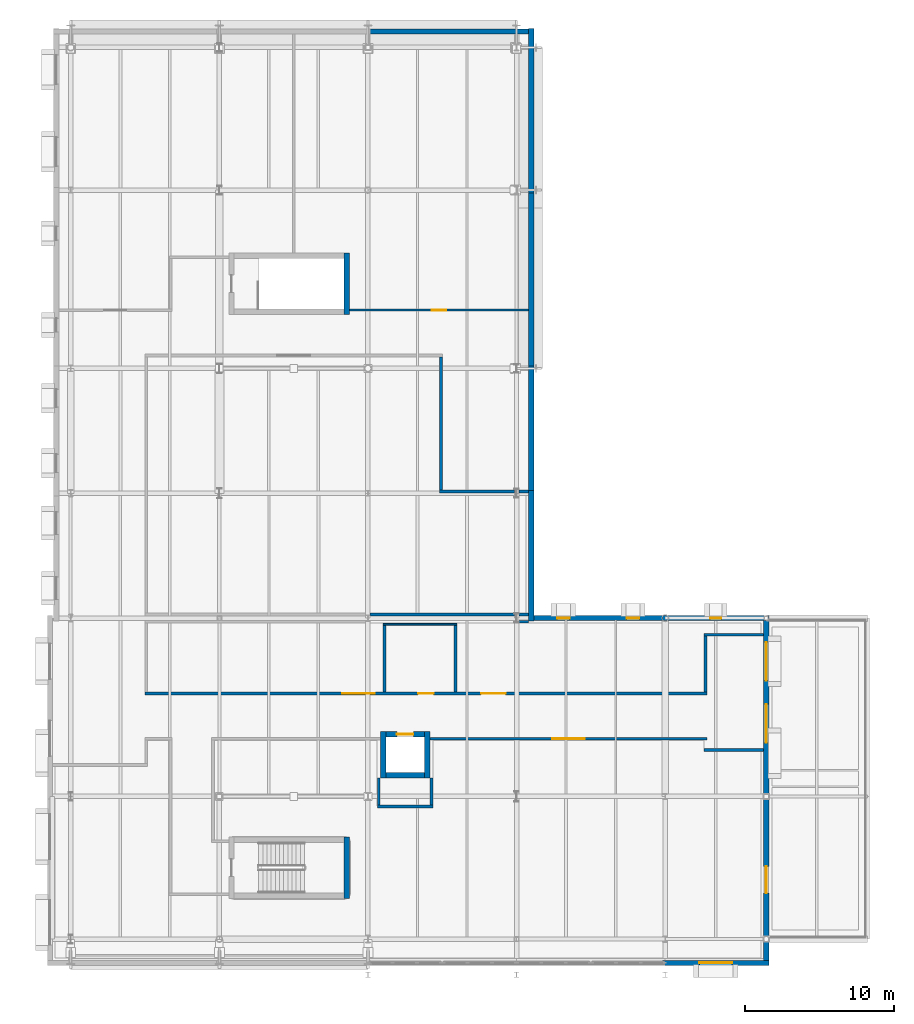
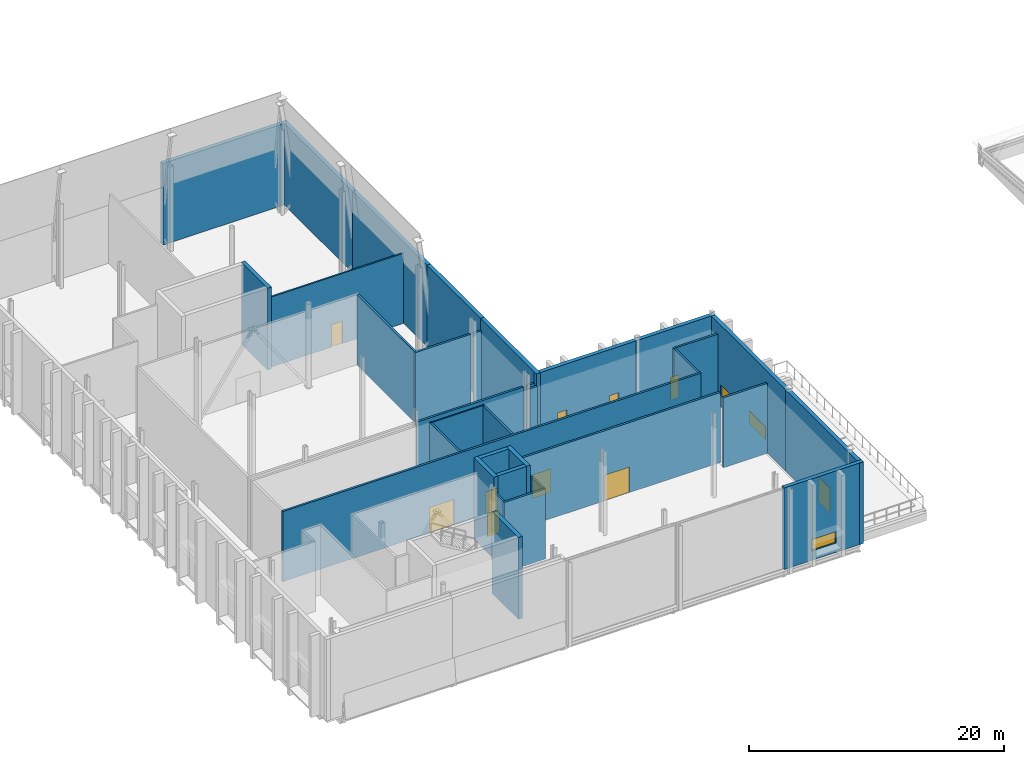
# One storey, part 62 of 79: 34 walls, 7 doors, 6 windows, 13 openings.
"""IFC4 building model written with IfcOpenShell, lengths in metres."""

from ifc_helpers import new_model, si_unit, direction, frame, frame_2d, origin, place, context, subcontext, project, spatial, rectangle, extrude, material, layer, layer_set, type_object, element, fill, save


model = new_model("IFC4")

# Units and contexts
model_context = context("Model", 3, precision=1e-05, world=origin(), true_north=direction((0.0, 1.0)))
body_context = subcontext(model_context, "Body", "Model", "MODEL_VIEW")
ifc_project = project(units=[si_unit("LENGTHUNIT", "METRE"), si_unit("AREAUNIT", "SQUARE_METRE"), si_unit("VOLUMEUNIT", "CUBIC_METRE"), si_unit("PLANEANGLEUNIT", "RADIAN"), si_unit("MASSUNIT", "GRAM", prefix="KILO")], contexts=[model_context])

# Site, building, storey
site_placement = place(None, origin())
site = spatial("IfcSite", under=ifc_project, at=site_placement, CompositionType="ELEMENT")
building_placement = place(site_placement, origin())
building = spatial("IfcBuilding", under=site, at=building_placement, Name="Zereglee Splitstone Museum", CompositionType="ELEMENT")
storey_placement = place(building_placement, frame((0.0, 0.0, 9.0)))
storey = spatial("IfcBuildingStorey", under=building, at=storey_placement, Name="L02", CompositionType="ELEMENT", Elevation=9.0)

# Walls
ifc_material_1 = material(Name="Concrete C45/55", Category="concrete")
ifc_layer_1 = layer(ifc_material_1, 0.360107421875)
ifc_layer_set_1 = layer_set([ifc_layer_1], Name="Concrete C45/55")
wall_type_1 = type_object("IfcWallType", Name="CSW-02", PredefinedType="SHEAR", material=ifc_layer_set_1)
wall_1_placement = place(storey_placement, frame((193.780029296875, 2.739990234375, 0.0), z_axis=(0.0, 0.0, 1.0), x_axis=(0.0, 1.0, 0.0)))
element("IfcWall", 1, at=wall_1_placement, inside=storey, type_object=wall_type_1, Name="Stair Core Shear Wall ST-04 L02 East", PredefinedType="SHEAR", context=body_context, shape_type="SweptSolid", body=[
    extrude(rectangle(XDim=4.1201171875, YDim=0.360107421875, at=frame_2d((2.06005859375, 0.0))), origin(), (0.0, 0.0, 1.0), 7.820068359375),
])
wall_2_placement = place(storey_placement, frame((193.780029296875, 42.0400390625, 0.0), z_axis=(0.0, 0.0, 1.0), x_axis=(0.0, 1.0, 0.0)))
element("IfcWall", 2, at=wall_2_placement, inside=storey, type_object=wall_type_1, Name="Stair Core Shear Wall ST-07 L02 East", PredefinedType="SHEAR", context=body_context, shape_type="SweptSolid", body=[
    extrude(rectangle(XDim=4.119873046875, YDim=0.360107421875, at=frame_2d((2.06005859375, 0.0))), origin(), (0.0, 0.0, 1.0), 7.820068359375),
])

# Wall, opening, door
wall_3_placement = place(storey_placement, frame((196.39990234375, 13.780029296875, 0.0), z_axis=(0.0, 0.0, 1.0), x_axis=(1.0, 0.0, 0.0)))
wall_3 = element("IfcWall", 3, at=wall_3_placement, inside=storey, type_object=wall_type_1, Name="Lift Shaft Wall PL-03 L02 North", PredefinedType="SHEAR", context=body_context, shape_type="SweptSolid", body=[
    extrude(rectangle(XDim=2.60009765625, YDim=0.360107421875, at=frame_2d((1.300048828125, 0.0))), origin(), (0.0, 0.0, 1.0), 7.820068359375),
])
opening_1_placement = place(wall_3_placement, frame((0.75, 0.0, 0.0)))
opening_1 = element("IfcOpeningElement", 4, at=opening_1_placement, cuts=wall_3, Name="Opening LD-01", PredefinedType="OPENING", context=body_context, shape_type="SweptSolid", body=[
    extrude(rectangle(XDim=1.10009765625, YDim=2.14990234375, at=frame_2d((0.550048828125, 1.074951171875))), frame((0.0, 0.19482421875, 0.0), z_axis=(0.0, -1.0, 0.0), x_axis=(1.0, 0.0, 0.0)), (0.0, 0.0, 1.0), 0.389892578125),
])
ifc_material_2 = material(Name="Fire-rated steel and Siberian larch leaf", Category="steel")
door_type_1 = type_object("IfcDoorType", Name="LD-01", OperationType="DOUBLE_DOOR_SLIDING", PredefinedType="DOOR", material=ifc_material_2)
door_1_placement = place(opening_1_placement, origin())
door_1 = element("IfcDoor", 5, at=door_1_placement, inside=storey, type_object=door_type_1, Name="Lift Landing Sliding Door PL-03 L02", OperationType="DOUBLE_DOOR_SLIDING", OverallHeight=2.14990234375, OverallWidth=1.10009765625, PredefinedType="DOOR", context=body_context, shape_type="SweptSolid", body=[
    extrude(rectangle(XDim=1.10009765625, YDim=2.14990234375, at=frame_2d((0.550048828125, 1.074951171875))), frame((0.0, 0.02490234375, 0.0), z_axis=(0.0, -1.0, 0.0), x_axis=(1.0, 0.0, 0.0)), (0.0, 0.0, 1.0), 0.050048828125),
])
fill(opening_1, door_1)

# Walls
wall_4_placement = place(storey_placement, frame((196.39990234375, 11.02001953125, 0.0), z_axis=(0.0, 0.0, 1.0), x_axis=(1.0, 0.0, 0.0)))
element("IfcWall", 6, at=wall_4_placement, inside=storey, type_object=wall_type_1, Name="Lift Shaft Wall PL-03 L02 South", PredefinedType="SHEAR", context=body_context, shape_type="SweptSolid", body=[
    extrude(rectangle(XDim=2.60009765625, YDim=0.360107421875, at=frame_2d((1.300048828125, 0.0))), origin(), (0.0, 0.0, 1.0), 7.820068359375),
])
for number, where, z_axis, x_axis, name in (
    (7, (196.219970703125, 10.840087890625, 0.0), (0.0, 0.0, 1.0), (0.0, 1.0, 0.0), "Lift Shaft Wall PL-03 L02 West"),
    (8, (199.179931640625, 10.840087890625, 0.0), (0.0, 0.0, 1.0), (0.0, 1.0, 0.0), "Lift Shaft Wall PL-03 L02 East"),
):
    element("IfcWall", number, at=place(storey_placement, frame(where, z_axis=z_axis, x_axis=x_axis)), inside=storey, type_object=wall_type_1, Name=name, PredefinedType="SHEAR", context=body_context, shape_type="SweptSolid", body=[
        extrude(rectangle(XDim=3.119873046875, YDim=0.360107421875, at=frame_2d((1.56005859375, 0.0))), origin(), (0.0, 0.0, 1.0), 7.820068359375),
    ])

# Wall, opening, window
ifc_material_3 = material(Name="Precast concrete C40/50", Category="concrete")
ifc_layer_2 = layer(ifc_material_3, 0.35009765625)
ifc_layer_set_2 = layer_set([ifc_layer_2], Name="Precast concrete C40/50")
wall_type_2 = type_object("IfcWallType", Name="EW-01", PredefinedType="STANDARD", material=ifc_layer_set_2)
wall_5_placement = place(storey_placement, frame((215.02001953125, -1.60009765625, 0.0), z_axis=(0.0, 0.0, 1.0), x_axis=(1.0, 0.0, 0.0)))
wall_5 = element("IfcWall", 9, at=wall_5_placement, inside=storey, type_object=wall_type_2, Name="Exterior Backup Wall RC4-EW-L02-0114", PredefinedType="STANDARD", context=body_context, shape_type="SweptSolid", body=[
    extrude(rectangle(XDim=7.159912109375, YDim=0.35009765625, at=frame_2d((3.580078125, 0.0))), origin(), (0.0, 0.0, 1.0), 7.800048828125),
])
opening_2_placement = place(wall_5_placement, frame((2.47998046875, 0.0, 0.89990234375)))
opening_2 = element("IfcOpeningElement", 10, at=opening_2_placement, cuts=wall_5, Name="Opening EW-W13", PredefinedType="OPENING", context=body_context, shape_type="SweptSolid", body=[
    extrude(rectangle(XDim=2.199951171875, YDim=1.10009765625, at=frame_2d((1.10009765625, 0.550048828125))), frame((0.0, 0.18994140625, 0.0), z_axis=(0.0, -1.0, 0.0), x_axis=(1.0, 0.0, 0.0)), (0.0, 0.0, 1.0), 0.3798828125),
])
ifc_material_4 = material(Name="Thermally broken aluminium frame with triple low-e glazing", Category="aluminium")
window_type_1 = type_object("IfcWindowType", Name="EW-W13", PartitioningType="DOUBLE_PANEL_HORIZONTAL", PredefinedType="WINDOW", material=ifc_material_4)
window_1_placement = place(opening_2_placement, origin())
window_1 = element("IfcWindow", 11, at=window_1_placement, inside=storey, type_object=window_type_1, Name="Mughal Deep-Reveal Gallery Window L02-0067", OverallHeight=1.10009765625, OverallWidth=2.199951171875, PartitioningType="SINGLE_PANEL", PredefinedType="WINDOW", context=body_context, shape_type="SweptSolid", body=[
    extrude(rectangle(XDim=2.199951171875, YDim=1.10009765625, at=frame_2d((1.10009765625, 0.550048828125))), frame((0.0, 0.030029296875, 0.0), z_axis=(0.0, -1.0, 0.0), x_axis=(1.0, 0.0, 0.0)), (0.0, 0.0, 1.0), 0.06005859375),
])
fill(opening_2, window_1)

# Wall, opening, door
wall_6_placement = place(storey_placement, frame((222.0, -1.780029296875, 0.0), z_axis=(0.0, 0.0, 1.0), x_axis=(0.0, 1.0, 0.0)))
wall_6 = element("IfcWall", 12, at=wall_6_placement, inside=storey, type_object=wall_type_2, Name="Exterior Backup Wall RC4-EW-L02-0115", PredefinedType="STANDARD", context=body_context, shape_type="SweptSolid", body=[
    extrude(rectangle(XDim=11.56005859375, YDim=0.35009765625, at=frame_2d((5.780029296875, 0.0))), origin(), (0.0, 0.0, 1.0), 7.800048828125),
])
opening_3_placement = place(wall_6_placement, frame((4.8798828125, 0.0, 0.0)))
opening_3 = element("IfcOpeningElement", 13, at=opening_3_placement, cuts=wall_6, Name="Opening ED-06", PredefinedType="OPENING", context=body_context, shape_type="SweptSolid", body=[
    extrude(rectangle(XDim=1.800048828125, YDim=2.39990234375, at=frame_2d((0.89990234375, 1.199951171875))), frame((0.0, 0.18994140625, 0.0), z_axis=(0.0, -1.0, 0.0), x_axis=(1.0, 0.0, 0.0)), (0.0, 0.0, 1.0), 0.3798828125),
])
ifc_material_5 = material(Name="Thermally broken aluminium with triple glazing", Category="aluminium")
door_type_2 = type_object("IfcDoorType", Name="ED-06", OperationType="DOUBLE_DOOR_SINGLE_SWING", PredefinedType="DOOR", material=ifc_material_5)
door_2_placement = place(opening_3_placement, origin())
door_2 = element("IfcDoor", 14, at=door_2_placement, inside=storey, type_object=door_type_2, Name="Gallery Terrace Access Door TER-L02-S1", OperationType="DOUBLE_DOOR_SINGLE_SWING", OverallHeight=2.39990234375, OverallWidth=1.800048828125, PredefinedType="DOOR", context=body_context, shape_type="SweptSolid", body=[
    extrude(rectangle(XDim=1.800048828125, YDim=2.39990234375, at=frame_2d((0.89990234375, 1.199951171875))), frame((0.0, 0.02490234375, 0.0), z_axis=(0.0, -1.0, 0.0), x_axis=(1.0, 0.0, 0.0)), (0.0, 0.0, 1.0), 0.050048828125),
])
fill(opening_3, door_2)

# Wall, openings, windows
wall_7_placement = place(storey_placement, frame((222.0, 9.419921875, 0.0), z_axis=(0.0, 0.0, 1.0), x_axis=(0.0, 1.0, 0.0)))
wall_7 = element("IfcWall", 15, at=wall_7_placement, inside=storey, type_object=wall_type_2, Name="Exterior Backup Wall RC4-EW-L02-0116", PredefinedType="STANDARD", context=body_context, shape_type="SweptSolid", body=[
    extrude(rectangle(XDim=12.360107421875, YDim=0.35009765625, at=frame_2d((6.18017578125, 0.0))), origin(), (0.0, 0.0, 1.0), 7.800048828125),
])
opening_4_placement = place(wall_7_placement, frame((3.7900390625, 0.0, 0.89990234375)))
opening_4 = element("IfcOpeningElement", 16, at=opening_4_placement, cuts=wall_7, Name="Opening EW-W14", PredefinedType="OPENING", context=body_context, shape_type="SweptSolid", body=[
    extrude(rectangle(XDim=2.60009765625, YDim=1.199951171875, at=frame_2d((1.300048828125, 0.60009765625))), frame((0.0, 0.18994140625, 0.0), z_axis=(0.0, -1.0, 0.0), x_axis=(1.0, 0.0, 0.0)), (0.0, 0.0, 1.0), 0.3798828125),
])
opening_5_placement = place(wall_7_placement, frame((7.969970703125, 0.0, 0.89990234375)))
opening_5 = element("IfcOpeningElement", 17, at=opening_5_placement, cuts=wall_7, Name="Opening EW-W14", PredefinedType="OPENING", context=body_context, shape_type="SweptSolid", body=[
    extrude(rectangle(XDim=2.60009765625, YDim=1.199951171875, at=frame_2d((1.300048828125, 0.60009765625))), frame((0.0, 0.18994140625, 0.0), z_axis=(0.0, -1.0, 0.0), x_axis=(1.0, 0.0, 0.0)), (0.0, 0.0, 1.0), 0.3798828125),
])
window_type_2 = type_object("IfcWindowType", Name="EW-W14", PartitioningType="TRIPLE_PANEL_VERTICAL", PredefinedType="WINDOW", material=ifc_material_4)
window_2_placement = place(opening_4_placement, origin())
window_2 = element("IfcWindow", 18, at=window_2_placement, inside=storey, type_object=window_type_2, Name="Mughal Deep-Reveal Gallery Window L02-0068", OverallHeight=1.199951171875, OverallWidth=2.60009765625, PartitioningType="SINGLE_PANEL", PredefinedType="WINDOW", context=body_context, shape_type="SweptSolid", body=[
    extrude(rectangle(XDim=2.60009765625, YDim=1.199951171875, at=frame_2d((1.300048828125, 0.60009765625))), frame((0.0, 0.030029296875, 0.0), z_axis=(0.0, -1.0, 0.0), x_axis=(1.0, 0.0, 0.0)), (0.0, 0.0, 1.0), 0.06005859375),
])
fill(opening_4, window_2)
window_3_placement = place(opening_5_placement, origin())
window_3 = element("IfcWindow", 19, at=window_3_placement, inside=storey, type_object=window_type_2, Name="Mughal Deep-Reveal Gallery Window L02-0069", OverallHeight=1.199951171875, OverallWidth=2.60009765625, PartitioningType="SINGLE_PANEL", PredefinedType="WINDOW", context=body_context, shape_type="SweptSolid", body=[
    extrude(rectangle(XDim=2.60009765625, YDim=1.199951171875, at=frame_2d((1.300048828125, 0.60009765625))), frame((0.0, 0.030029296875, 0.0), z_axis=(0.0, -1.0, 0.0), x_axis=(1.0, 0.0, 0.0)), (0.0, 0.0, 1.0), 0.06005859375),
])
fill(opening_5, window_3)

# Wall, opening, window
wall_8_placement = place(storey_placement, frame((222.179931640625, 21.60009765625, 0.0), z_axis=(0.0, 0.0, 1.0), x_axis=(-1.0, 0.0, 0.0)))
wall_8 = element("IfcWall", 20, at=wall_8_placement, inside=storey, type_object=wall_type_2, Name="Exterior Backup Wall RC4-EW-L02-0117", PredefinedType="STANDARD", context=body_context, shape_type="SweptSolid", body=[
    extrude(rectangle(XDim=7.159912109375, YDim=0.35009765625, at=frame_2d((3.580078125, 0.0))), origin(), (0.0, 0.0, 1.0), 7.800048828125),
])
opening_6_placement = place(wall_8_placement, frame((3.205078125, 0.0, 0.89990234375)))
opening_6 = element("IfcOpeningElement", 21, at=opening_6_placement, cuts=wall_8, Name="Opening EW-W16", PredefinedType="OPENING", context=body_context, shape_type="SweptSolid", body=[
    extrude(rectangle(XDim=0.75, YDim=2.199951171875, at=frame_2d((0.375, 1.10009765625))), frame((0.0, 0.18994140625, 0.0), z_axis=(0.0, -1.0, 0.0), x_axis=(1.0, 0.0, 0.0)), (0.0, 0.0, 1.0), 0.3798828125),
])
window_type_3 = type_object("IfcWindowType", Name="EW-W16", PartitioningType="SINGLE_PANEL", PredefinedType="WINDOW", material=ifc_material_4)
window_4_placement = place(opening_6_placement, origin())
window_4 = element("IfcWindow", 22, at=window_4_placement, inside=storey, type_object=window_type_3, Name="Mughal Deep-Reveal Gallery Window L02-0070", OverallHeight=2.199951171875, OverallWidth=0.75, PartitioningType="SINGLE_PANEL", PredefinedType="WINDOW", context=body_context, shape_type="SweptSolid", body=[
    extrude(rectangle(XDim=0.75, YDim=2.199951171875, at=frame_2d((0.375, 1.10009765625))), frame((0.0, 0.030029296875, 0.0), z_axis=(0.0, -1.0, 0.0), x_axis=(1.0, 0.0, 0.0)), (0.0, 0.0, 1.0), 0.06005859375),
])
fill(opening_6, window_4)

# Wall, openings, windows
wall_9_placement = place(storey_placement, frame((215.3798828125, 21.60009765625, 0.0), z_axis=(0.0, 0.0, 1.0), x_axis=(-1.0, 0.0, 0.0)))
wall_9 = element("IfcWall", 23, at=wall_9_placement, inside=storey, type_object=wall_type_2, Name="Exterior Backup Wall RC4-EW-L02-0118", PredefinedType="STANDARD", context=body_context, shape_type="SweptSolid", body=[
    extrude(rectangle(XDim=9.3798828125, YDim=0.35009765625, at=frame_2d((4.68994140625, 0.0))), origin(), (0.0, 0.0, 1.0), 7.800048828125),
])
opening_7_placement = place(wall_9_placement, frame((1.919921875, 0.0, 0.89990234375)))
opening_7 = element("IfcOpeningElement", 24, at=opening_7_placement, cuts=wall_9, Name="Opening EW-W17", PredefinedType="OPENING", context=body_context, shape_type="SweptSolid", body=[
    extrude(rectangle(XDim=0.85009765625, YDim=2.5, at=frame_2d((0.425048828125, 1.25))), frame((0.0, 0.18994140625, 0.0), z_axis=(0.0, -1.0, 0.0), x_axis=(1.0, 0.0, 0.0)), (0.0, 0.0, 1.0), 0.3798828125),
])
opening_8_placement = place(wall_9_placement, frame((6.610107421875, 0.0, 0.89990234375)))
opening_8 = element("IfcOpeningElement", 25, at=opening_8_placement, cuts=wall_9, Name="Opening EW-W17", PredefinedType="OPENING", context=body_context, shape_type="SweptSolid", body=[
    extrude(rectangle(XDim=0.85009765625, YDim=2.5, at=frame_2d((0.425048828125, 1.25))), frame((0.0, 0.18994140625, 0.0), z_axis=(0.0, -1.0, 0.0), x_axis=(1.0, 0.0, 0.0)), (0.0, 0.0, 1.0), 0.3798828125),
])
window_type_4 = type_object("IfcWindowType", Name="EW-W17", PartitioningType="SINGLE_PANEL", PredefinedType="WINDOW", material=ifc_material_4)
window_5_placement = place(opening_7_placement, origin())
window_5 = element("IfcWindow", 26, at=window_5_placement, inside=storey, type_object=window_type_4, Name="Mughal Deep-Reveal Gallery Window L02-0071", OverallHeight=2.5, OverallWidth=0.85009765625, PartitioningType="SINGLE_PANEL", PredefinedType="WINDOW", context=body_context, shape_type="SweptSolid", body=[
    extrude(rectangle(XDim=0.85009765625, YDim=2.5, at=frame_2d((0.425048828125, 1.25))), frame((0.0, 0.030029296875, 0.0), z_axis=(0.0, -1.0, 0.0), x_axis=(1.0, 0.0, 0.0)), (0.0, 0.0, 1.0), 0.06005859375),
])
fill(opening_7, window_5)
window_6_placement = place(opening_8_placement, origin())
window_6 = element("IfcWindow", 27, at=window_6_placement, inside=storey, type_object=window_type_4, Name="Mughal Deep-Reveal Gallery Window L02-0072", OverallHeight=2.5, OverallWidth=0.85009765625, PartitioningType="SINGLE_PANEL", PredefinedType="WINDOW", context=body_context, shape_type="SweptSolid", body=[
    extrude(rectangle(XDim=0.85009765625, YDim=2.5, at=frame_2d((0.425048828125, 1.25))), frame((0.0, 0.030029296875, 0.0), z_axis=(0.0, -1.0, 0.0), x_axis=(1.0, 0.0, 0.0)), (0.0, 0.0, 1.0), 0.06005859375),
])
fill(opening_8, window_6)

# Walls
for number, where, z_axis, x_axis, name in (
    (28, (206.179931640625, 21.419921875, 0.0), (0.0, 0.0, 1.0), (0.0, 1.0, 0.0), "Exterior Backup Wall RC4-EW-L02-0119"),
    (29, (206.179931640625, 29.820068359375, 0.0), (0.0, 0.0, 1.0), (0.0, 1.0, 0.0), "Exterior Backup Wall RC4-EW-L02-0120"),
):
    element("IfcWall", number, at=place(storey_placement, frame(where, z_axis=z_axis, x_axis=x_axis)), inside=storey, type_object=wall_type_2, Name=name, PredefinedType="STANDARD", context=body_context, shape_type="SweptSolid", body=[
        extrude(rectangle(XDim=8.760009765625, YDim=0.35009765625, at=frame_2d((4.3798828125, 0.0))), origin(), (0.0, 0.0, 1.0), 7.800048828125),
    ])
wall_10_placement = place(storey_placement, frame((206.179931640625, 38.219970703125, 0.0), z_axis=(0.0, 0.0, 1.0), x_axis=(0.0, 1.0, 0.0)))
element("IfcWall", 30, at=wall_10_placement, inside=storey, type_object=wall_type_2, Name="Exterior Backup Wall RC4-EW-L02-0121", PredefinedType="STANDARD", context=body_context, shape_type="SweptSolid", body=[
    extrude(rectangle(XDim=12.360107421875, YDim=0.35009765625, at=frame_2d((6.18017578125, 0.0))), origin(), (0.0, 0.0, 1.0), 7.800048828125),
])
wall_11_placement = place(storey_placement, frame((206.179931640625, 50.219970703125, 0.0), z_axis=(0.0, 0.0, 1.0), x_axis=(0.0, 1.0, 0.0)))
element("IfcWall", 31, at=wall_11_placement, inside=storey, type_object=wall_type_2, Name="Exterior Backup Wall RC4-EW-L02-0122", PredefinedType="STANDARD", context=body_context, shape_type="SweptSolid", body=[
    extrude(rectangle(XDim=11.0400390625, YDim=0.35009765625, at=frame_2d((5.52001953125, 0.0))), origin(), (0.0, 0.0, 1.0), 7.800048828125),
])
wall_12_placement = place(storey_placement, frame((206.360107421875, 61.080078125, 0.0), z_axis=(0.0, 0.0, 1.0), x_axis=(-1.0, 0.0, 0.0)))
element("IfcWall", 32, at=wall_12_placement, inside=storey, type_object=wall_type_2, Name="Exterior Backup Wall RC4-EW-L02-0123", PredefinedType="STANDARD", context=body_context, shape_type="SweptSolid", body=[
    extrude(rectangle(XDim=11.340087890625, YDim=0.35009765625, at=frame_2d((5.669921875, 0.0))), origin(), (0.0, 0.0, 1.0), 7.800048828125),
])

# Wall, opening, door
ifc_material_6 = material(Name="Fire-rated gypsum board partition", Category="masonry")
ifc_layer_3 = layer(ifc_material_6, 0.139892578125)
ifc_layer_set_3 = layer_set([ifc_layer_3], Name="Fire-rated gypsum board partition")
wall_type_3 = type_object("IfcWallType", Name="IW-05", PredefinedType="PARTITIONING", material=ifc_layer_set_3)
wall_13_placement = place(storey_placement, frame((193.9599609375, 42.320068359375, 0.0), z_axis=(0.0, 0.0, 1.0), x_axis=(1.0, 0.0, 0.0)))
wall_13 = element("IfcWall", 33, at=wall_13_placement, inside=storey, type_object=wall_type_3, Name="Interior Partition L02-0503 (Curatorial Administration Office)", PredefinedType="PARTITIONING", context=body_context, shape_type="SweptSolid", body=[
    extrude(rectangle(XDim=12.044921875, YDim=0.139892578125, at=frame_2d((6.0224609375, 0.0))), origin(), (0.0, 0.0, 1.0), 6.699951171875),
])
opening_9_placement = place(wall_13_placement, frame((5.5224609375, 0.0, 0.0)))
opening_9 = element("IfcOpeningElement", 34, at=opening_9_placement, cuts=wall_13, Name="Opening ID-10", PredefinedType="OPENING", context=body_context, shape_type="SweptSolid", body=[
    extrude(rectangle(XDim=1.0, YDim=2.14990234375, at=frame_2d((0.5, 1.074951171875))), frame((0.0, 0.0849609375, 0.0), z_axis=(0.0, -1.0, 0.0), x_axis=(1.0, 0.0, 0.0)), (0.0, 0.0, 1.0), 0.169677734375),
])
ifc_material_7 = material(Name="Siberian larch acoustic timber leaf in bronze-steel frame", Category="steel")
door_type_3 = type_object("IfcDoorType", Name="ID-10", OperationType="NOTDEFINED", PredefinedType="DOOR", material=ifc_material_7)
door_3_placement = place(opening_9_placement, origin())
door_3 = element("IfcDoor", 35, at=door_3_placement, inside=storey, type_object=door_type_3, Name="Interior Door L02-0095 (Curatorial Administration Office)", OperationType="SINGLE_SWING_RIGHT", OverallHeight=2.14990234375, OverallWidth=1.0, PredefinedType="DOOR", context=body_context, shape_type="SweptSolid", body=[
    extrude(rectangle(XDim=1.0, YDim=2.14990234375, at=frame_2d((0.5, 1.074951171875))), frame((0.0, 0.02490234375, 0.0), z_axis=(0.0, -1.0, 0.0), x_axis=(1.0, 0.0, 0.0)), (0.0, 0.0, 1.0), 0.050048828125),
])
fill(opening_9, door_3)

# Walls
ifc_material_8 = material(Name="Gypsum board on acoustic steel stud", Category="steel")
ifc_layer_4 = layer(ifc_material_8, 0.18994140625)
ifc_layer_set_4 = layer_set([ifc_layer_4], Name="Gypsum board on acoustic steel stud")
wall_type_4 = type_object("IfcWallType", Name="IW-02", PredefinedType="PARTITIONING", material=ifc_layer_set_4)
wall_14_placement = place(storey_placement, frame((195.824951171875, 8.919921875, 0.0), z_axis=(0.0, 0.0, 1.0), x_axis=(1.0, 0.0, 0.0)))
element("IfcWall", 36, at=wall_14_placement, inside=storey, type_object=wall_type_4, Name="Interior Partition L02-0459 (Botanical Diorama Gallery)", PredefinedType="PARTITIONING", context=body_context, shape_type="SweptSolid", body=[
    extrude(rectangle(XDim=3.75, YDim=0.18994140625, at=frame_2d((1.875, 0.0))), origin(), (0.0, 0.0, 1.0), 6.699951171875),
])
wall_15_placement = place(storey_placement, frame((217.824951171875, 12.719970703125, 0.0), z_axis=(0.0, 0.0, 1.0), x_axis=(1.0, 0.0, 0.0)))
element("IfcWall", 37, at=wall_15_placement, inside=storey, type_object=wall_type_4, Name="Interior Partition L02-0464 (Botanical Diorama Gallery)", PredefinedType="PARTITIONING", context=body_context, shape_type="SweptSolid", body=[
    extrude(rectangle(XDim=4.0, YDim=0.18994140625, at=frame_2d((2.0, 0.0))), origin(), (0.0, 0.0, 1.0), 6.699951171875),
])

# Wall, opening, door
wall_16_placement = place(storey_placement, frame((199.360107421875, 13.47998046875, 0.0), z_axis=(0.0, 0.0, 1.0), x_axis=(1.0, 0.0, 0.0)))
wall_16 = element("IfcWall", 38, at=wall_16_placement, inside=storey, type_object=wall_type_4, Name="Interior Partition L02-0467 (Botanical Diorama Gallery)", PredefinedType="PARTITIONING", context=body_context, shape_type="SweptSolid", body=[
    extrude(rectangle(XDim=18.65478515625, YDim=0.18994140625, at=frame_2d((9.327392578125, 0.0))), origin(), (0.0, 0.0, 1.0), 6.699951171875),
])
opening_10_placement = place(wall_16_placement, frame((8.2275390625, 0.0, 0.0)))
opening_10 = element("IfcOpeningElement", 39, at=opening_10_placement, cuts=wall_16, Name="Opening ID-01", PredefinedType="OPENING", context=body_context, shape_type="SweptSolid", body=[
    extrude(rectangle(XDim=2.199951171875, YDim=2.449951171875, at=frame_2d((1.10009765625, 1.22509765625))), frame((0.0, 0.10986328125, 0.0), z_axis=(0.0, -1.0, 0.0), x_axis=(1.0, 0.0, 0.0)), (0.0, 0.0, 1.0), 0.2197265625),
])
door_type_4 = type_object("IfcDoorType", Name="ID-01", OperationType="NOTDEFINED", PredefinedType="DOOR", material=ifc_material_2)
door_4_placement = place(opening_10_placement, frame((2.199951171875, 0.0, 0.0), z_axis=(0.0, 0.0, 1.0), x_axis=(-1.0, 0.0, 0.0)))
door_4 = element("IfcDoor", 40, at=door_4_placement, inside=storey, type_object=door_type_4, Name="Interior Door L02-0090 (Botanical Diorama Gallery)", OperationType="DOUBLE_DOOR_SINGLE_SWING", OverallHeight=2.449951171875, OverallWidth=2.199951171875, PredefinedType="DOOR", context=body_context, shape_type="SweptSolid", body=[
    extrude(rectangle(XDim=2.199951171875, YDim=2.449951171875, at=frame_2d((1.10009765625, 1.22509765625))), frame((0.0, 0.02490234375, 0.0), z_axis=(0.0, -1.0, 0.0), x_axis=(1.0, 0.0, 0.0)), (0.0, 0.0, 1.0), 0.050048828125),
])
fill(opening_10, door_4)

# Wall, openings, doors
wall_17_placement = place(storey_placement, frame((180.18505859375, 16.52001953125, 0.0), z_axis=(0.0, 0.0, 1.0), x_axis=(1.0, 0.0, 0.0)))
wall_17 = element("IfcWall", 41, at=wall_17_placement, inside=storey, type_object=wall_type_4, Name="Interior Partition L02-0475 (Public Washroom)", PredefinedType="PARTITIONING", context=body_context, shape_type="SweptSolid", body=[
    extrude(rectangle(XDim=37.829833984375, YDim=0.18994140625, at=frame_2d((18.9150390625, 0.0))), origin(), (0.0, 0.0, 1.0), 6.699951171875),
])
opening_11_placement = place(wall_17_placement, frame((18.389892578125, 0.0, 0.0)))
opening_11 = element("IfcOpeningElement", 42, at=opening_11_placement, cuts=wall_17, Name="Opening ID-12", PredefinedType="OPENING", context=body_context, shape_type="SweptSolid", body=[
    extrude(rectangle(XDim=1.050048828125, YDim=2.10009765625, at=frame_2d((0.52490234375, 1.050048828125))), frame((0.0, 0.10986328125, 0.0), z_axis=(0.0, -1.0, 0.0), x_axis=(1.0, 0.0, 0.0)), (0.0, 0.0, 1.0), 0.2197265625),
])
opening_12_placement = place(wall_17_placement, frame((13.275390625, 0.0, 0.0)))
opening_12 = element("IfcOpeningElement", 43, at=opening_12_placement, cuts=wall_17, Name="Opening ID-01", PredefinedType="OPENING", context=body_context, shape_type="SweptSolid", body=[
    extrude(rectangle(XDim=2.199951171875, YDim=2.449951171875, at=frame_2d((1.10009765625, 1.22509765625))), frame((0.0, 0.10986328125, 0.0), z_axis=(0.0, -1.0, 0.0), x_axis=(1.0, 0.0, 0.0)), (0.0, 0.0, 1.0), 0.2197265625),
])
opening_13_placement = place(wall_17_placement, frame((22.629638671875, 0.0, 0.0)))
opening_13 = element("IfcOpeningElement", 44, at=opening_13_placement, cuts=wall_17, Name="Opening ID-13", PredefinedType="OPENING", context=body_context, shape_type="SweptSolid", body=[
    extrude(rectangle(XDim=1.64990234375, YDim=2.25, at=frame_2d((0.824951171875, 1.125))), frame((0.0, 0.10986328125, 0.0), z_axis=(0.0, -1.0, 0.0), x_axis=(1.0, 0.0, 0.0)), (0.0, 0.0, 1.0), 0.2197265625),
])
door_type_5 = type_object("IfcDoorType", Name="ID-12", OperationType="NOTDEFINED", PredefinedType="DOOR", material=ifc_material_7)
door_5_placement = place(opening_11_placement, origin())
door_5 = element("IfcDoor", 45, at=door_5_placement, inside=storey, type_object=door_type_5, Name="Interior Door L02-0080 (Public Washroom)", OperationType="SINGLE_SWING_LEFT", OverallHeight=2.10009765625, OverallWidth=1.050048828125, PredefinedType="DOOR", context=body_context, shape_type="SweptSolid", body=[
    extrude(rectangle(XDim=1.050048828125, YDim=2.10009765625, at=frame_2d((0.52490234375, 1.050048828125))), frame((0.0, 0.02490234375, 0.0), z_axis=(0.0, -1.0, 0.0), x_axis=(1.0, 0.0, 0.0)), (0.0, 0.0, 1.0), 0.050048828125),
])
fill(opening_11, door_5)
door_6_placement = place(opening_12_placement, origin())
door_6 = element("IfcDoor", 46, at=door_6_placement, inside=storey, type_object=door_type_4, Name="Interior Door L02-0091 (Khuvsgul Larch Forest Ecology Gallery)", OperationType="DOUBLE_DOOR_SINGLE_SWING", OverallHeight=2.449951171875, OverallWidth=2.199951171875, PredefinedType="DOOR", context=body_context, shape_type="SweptSolid", body=[
    extrude(rectangle(XDim=2.199951171875, YDim=2.449951171875, at=frame_2d((1.10009765625, 1.22509765625))), frame((0.0, 0.02490234375, 0.0), z_axis=(0.0, -1.0, 0.0), x_axis=(1.0, 0.0, 0.0)), (0.0, 0.0, 1.0), 0.050048828125),
])
fill(opening_12, door_6)
door_type_6 = type_object("IfcDoorType", Name="ID-13", OperationType="NOTDEFINED", PredefinedType="DOOR", material=ifc_material_2)
door_7_placement = place(opening_13_placement, origin())
door_7 = element("IfcDoor", 47, at=door_7_placement, inside=storey, type_object=door_type_6, Name="Interior Door L02-0092 (Museum Education Studio)", OperationType="DOUBLE_DOOR_SINGLE_SWING", OverallHeight=2.25, OverallWidth=1.64990234375, PredefinedType="DOOR", context=body_context, shape_type="SweptSolid", body=[
    extrude(rectangle(XDim=1.64990234375, YDim=2.25, at=frame_2d((0.824951171875, 1.125))), frame((0.0, 0.02490234375, 0.0), z_axis=(0.0, -1.0, 0.0), x_axis=(1.0, 0.0, 0.0)), (0.0, 0.0, 1.0), 0.050048828125),
])
fill(opening_13, door_7)

# Walls
wall_18_placement = place(storey_placement, frame((217.824951171875, 20.47998046875, 0.0), z_axis=(0.0, 0.0, 1.0), x_axis=(1.0, 0.0, 0.0)))
element("IfcWall", 48, at=wall_18_placement, inside=storey, type_object=wall_type_4, Name="Interior Partition L02-0483 (Museum Education Studio)", PredefinedType="PARTITIONING", context=body_context, shape_type="SweptSolid", body=[
    extrude(rectangle(XDim=4.0, YDim=0.18994140625, at=frame_2d((2.0, 0.0))), origin(), (0.0, 0.0, 1.0), 6.699951171875),
])
wall_19_placement = place(storey_placement, frame((205.35009765625, 21.360107421875, 0.0), z_axis=(0.0, 0.0, 1.0), x_axis=(1.0, 0.0, 0.0)))
element("IfcWall", 49, at=wall_19_placement, inside=storey, type_object=wall_type_4, Name="Interior Partition L02-0486 (Khuvsgul Larch Forest Ecology Gallery)", PredefinedType="PARTITIONING", context=body_context, shape_type="SweptSolid", body=[
    extrude(rectangle(XDim=0.65478515625, YDim=0.18994140625, at=frame_2d((0.327392578125, 0.0))), origin(), (0.0, 0.0, 1.0), 6.699951171875),
])
wall_20_placement = place(storey_placement, frame((195.35009765625, 21.840087890625, 0.0), z_axis=(0.0, 0.0, 1.0), x_axis=(1.0, 0.0, 0.0)))
element("IfcWall", 50, at=wall_20_placement, inside=storey, type_object=wall_type_4, Name="Interior Partition L02-0488 (Meteoritics Exhibition Room)", PredefinedType="PARTITIONING", context=body_context, shape_type="SweptSolid", body=[
    extrude(rectangle(XDim=9.699951171875, YDim=0.18994140625, at=frame_2d((4.85009765625, 0.0))), origin(), (0.0, 0.0, 1.0), 6.699951171875),
])
wall_21_placement = place(storey_placement, frame((205.35009765625, 21.840087890625, 0.0), z_axis=(0.0, 0.0, 1.0), x_axis=(1.0, 0.0, 0.0)))
element("IfcWall", 51, at=wall_21_placement, inside=storey, type_object=wall_type_4, Name="Interior Partition L02-0489 (Meteoritics Exhibition Room)", PredefinedType="PARTITIONING", context=body_context, shape_type="SweptSolid", body=[
    extrude(rectangle(XDim=0.65478515625, YDim=0.18994140625, at=frame_2d((0.327392578125, 0.0))), origin(), (0.0, 0.0, 1.0), 6.699951171875),
])
wall_22_placement = place(storey_placement, frame((200.02490234375, 30.1201171875, 0.0), z_axis=(0.0, 0.0, 1.0), x_axis=(1.0, 0.0, 0.0)))
element("IfcWall", 52, at=wall_22_placement, inside=storey, type_object=wall_type_4, Name="Interior Partition L02-0495 (Meteoritics Exhibition Room)", PredefinedType="PARTITIONING", context=body_context, shape_type="SweptSolid", body=[
    extrude(rectangle(XDim=5.025146484375, YDim=0.18994140625, at=frame_2d((2.5126953125, 0.0))), origin(), (0.0, 0.0, 1.0), 6.699951171875),
])
wall_23_placement = place(storey_placement, frame((205.35009765625, 30.1201171875, 0.0), z_axis=(0.0, 0.0, 1.0), x_axis=(1.0, 0.0, 0.0)))
element("IfcWall", 53, at=wall_23_placement, inside=storey, type_object=wall_type_4, Name="Interior Partition L02-0496 (Meteoritics Exhibition Room)", PredefinedType="PARTITIONING", context=body_context, shape_type="SweptSolid", body=[
    extrude(rectangle(XDim=0.65478515625, YDim=0.18994140625, at=frame_2d((0.327392578125, 0.0))), origin(), (0.0, 0.0, 1.0), 6.699951171875),
])
wall_24_placement = place(storey_placement, frame((195.919921875, 9.014892578125, 0.0), z_axis=(0.0, 0.0, 1.0), x_axis=(0.0, 1.0, 0.0)))
element("IfcWall", 54, at=wall_24_placement, inside=storey, type_object=wall_type_4, Name="Interior Partition L02-0548 (Botanical Diorama Gallery)", PredefinedType="PARTITIONING", context=body_context, shape_type="SweptSolid", body=[
    extrude(rectangle(XDim=1.8251953125, YDim=0.18994140625, at=frame_2d((0.91259765625, 0.0))), origin(), (0.0, 0.0, 1.0), 6.699951171875),
])
wall_25_placement = place(storey_placement, frame((196.320068359375, 16.614990234375, 0.0), z_axis=(0.0, 0.0, 1.0), x_axis=(0.0, 1.0, 0.0)))
element("IfcWall", 55, at=wall_25_placement, inside=storey, type_object=wall_type_4, Name="Interior Partition L02-0549 (Public Washroom)", PredefinedType="PARTITIONING", context=body_context, shape_type="SweptSolid", body=[
    extrude(rectangle(XDim=4.64990234375, YDim=0.18994140625, at=frame_2d((2.324951171875, 0.0))), origin(), (0.0, 0.0, 1.0), 6.699951171875),
])
wall_26_placement = place(storey_placement, frame((199.47998046875, 9.014892578125, 0.0), z_axis=(0.0, 0.0, 1.0), x_axis=(0.0, 1.0, 0.0)))
element("IfcWall", 56, at=wall_26_placement, inside=storey, type_object=wall_type_4, Name="Interior Partition L02-0550 (Botanical Diorama Gallery)", PredefinedType="PARTITIONING", context=body_context, shape_type="SweptSolid", body=[
    extrude(rectangle(XDim=1.8251953125, YDim=0.18994140625, at=frame_2d((0.91259765625, 0.0))), origin(), (0.0, 0.0, 1.0), 6.699951171875),
])
wall_27_placement = place(storey_placement, frame((200.1201171875, 30.215087890625, 0.0), z_axis=(0.0, 0.0, 1.0), x_axis=(0.0, 1.0, 0.0)))
element("IfcWall", 57, at=wall_27_placement, inside=storey, type_object=wall_type_4, Name="Interior Partition L02-0551 (Meteoritics Exhibition Room)", PredefinedType="PARTITIONING", context=body_context, shape_type="SweptSolid", body=[
    extrude(rectangle(XDim=8.969970703125, YDim=0.18994140625, at=frame_2d((4.48486328125, 0.0))), origin(), (0.0, 0.0, 1.0), 6.699951171875),
])
wall_28_placement = place(storey_placement, frame((201.080078125, 16.614990234375, 0.0), z_axis=(0.0, 0.0, 1.0), x_axis=(0.0, 1.0, 0.0)))
element("IfcWall", 58, at=wall_28_placement, inside=storey, type_object=wall_type_4, Name="Interior Partition L02-0552 (Public Washroom)", PredefinedType="PARTITIONING", context=body_context, shape_type="SweptSolid", body=[
    extrude(rectangle(XDim=4.64990234375, YDim=0.18994140625, at=frame_2d((2.324951171875, 0.0))), origin(), (0.0, 0.0, 1.0), 6.699951171875),
])
wall_29_placement = place(storey_placement, frame((217.919921875, 16.614990234375, 0.0), z_axis=(0.0, 0.0, 1.0), x_axis=(0.0, 1.0, 0.0)))
element("IfcWall", 59, at=wall_29_placement, inside=storey, type_object=wall_type_4, Name="Interior Partition L02-0553 (Museum Education Studio)", PredefinedType="PARTITIONING", context=body_context, shape_type="SweptSolid", body=[
    extrude(rectangle(XDim=3.77001953125, YDim=0.18994140625, at=frame_2d((1.885009765625, 0.0))), origin(), (0.0, 0.0, 1.0), 6.699951171875),
])
ifc_material_9 = material(Name="Moisture-resistant tile and gypsum partition", Category="masonry")
ifc_layer_5 = layer(ifc_material_9, 0.1201171875)
ifc_layer_set_5 = layer_set([ifc_layer_5], Name="Moisture-resistant tile and gypsum partition")
wall_type_5 = type_object("IfcWallType", Name="IW-06", PredefinedType="PARTITIONING", material=ifc_layer_set_5)
wall_30_placement = place(storey_placement, frame((196.22509765625, 21.179931640625, 0.0), z_axis=(0.0, 0.0, 1.0), x_axis=(1.0, 0.0, 0.0)))
element("IfcWall", 60, at=wall_30_placement, inside=storey, type_object=wall_type_5, Name="Interior Partition L02-0484 (Public Washroom)", PredefinedType="PARTITIONING", context=body_context, shape_type="SweptSolid", body=[
    extrude(rectangle(XDim=4.949951171875, YDim=0.1201171875, at=frame_2d((2.47509765625, 0.0))), origin(), (0.0, 0.0, 1.0), 6.699951171875),
])

save(model, "model.ifc")
